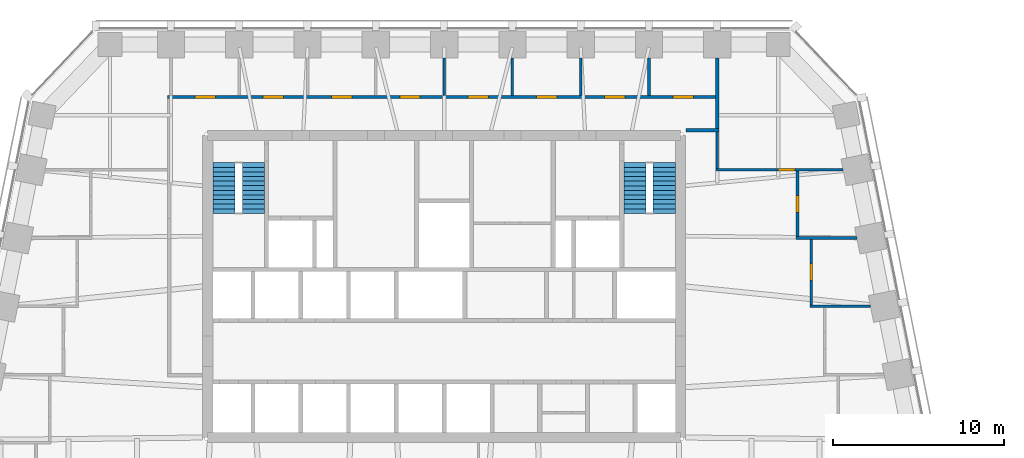
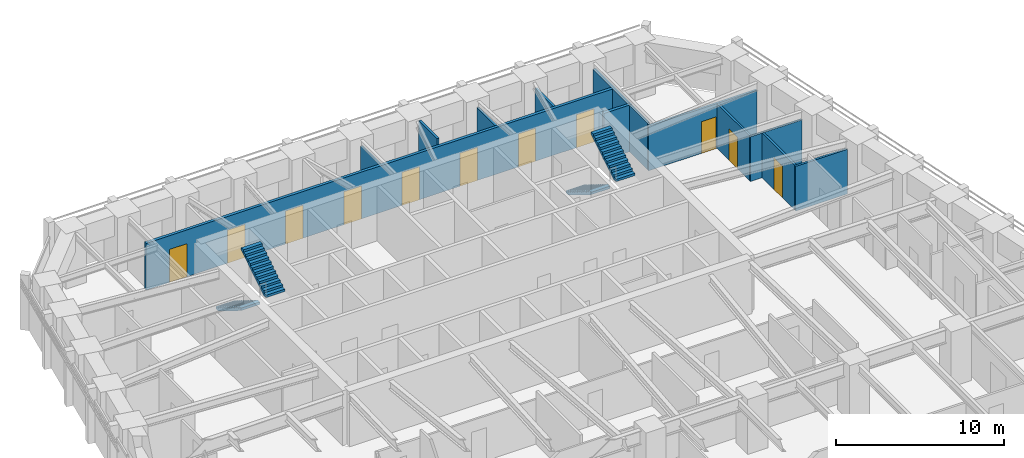
# One storey, part 9 of 11: 13 walls, 11 doors, 4 stair flights, 11 openings, 2 elements without a shape of their own.
"""IFC4 building model written with IfcOpenShell, lengths in metres."""

from ifc_helpers import new_model, si_unit, direction, frame, frame_2d, origin, place, context, subcontext, project, spatial, polyline, rectangle, outline, extrude, material, layer, layer_set, type_object, element, fill, aggregate, save


model = new_model("IFC4")

# Units and contexts
model_context = context("Model", 3, precision=1e-05, world=origin(), true_north=direction((0.0, 1.0)))
body_context = subcontext(model_context, "Body", "Model", "MODEL_VIEW")
ifc_project = project(units=[si_unit("LENGTHUNIT", "METRE"), si_unit("AREAUNIT", "SQUARE_METRE"), si_unit("VOLUMEUNIT", "CUBIC_METRE"), si_unit("PLANEANGLEUNIT", "RADIAN"), si_unit("MASSUNIT", "GRAM", prefix="KILO")], contexts=[model_context])

# Site, building, storey
site_placement = place(None, origin())
site = spatial("IfcSite", under=ifc_project, at=site_placement, CompositionType="ELEMENT")
building_placement = place(site_placement, origin())
building = spatial("IfcBuilding", under=site, at=building_placement, Name="Isbrekke Arena Tower", CompositionType="ELEMENT")
storey_placement = place(building_placement, frame((0.0, 0.0, 202.0)))
storey = spatial("IfcBuildingStorey", under=building, at=storey_placement, Name="L46", CompositionType="ELEMENT", Elevation=202.0)

# Walls
ifc_material_1 = material(Name="Gypsum board partition on steel studs", Category="steel")
ifc_layer_1 = layer(ifc_material_1, 0.14990234375)
ifc_layer_set_1 = layer_set([ifc_layer_1], Name="IW1 PARTITION 150")
wall_type_1 = type_object("IfcWallType", Name="IW1 PARTITION 150", PredefinedType="PARTITIONING", material=ifc_layer_set_1)
for number, where, z_axis, x_axis, name in (
    (1, (21.425048828125, 13.840087890625, 0.0), (0.0, 0.0, 1.0), (1.0, 0.0, 0.0), "IW1 partition 150 L46"),
    (2, (20.625, 17.840087890625, 0.0), (0.0, 0.0, 1.0), (1.0, 0.0, 0.0), "IW1 partition 150 L46"),
):
    element("IfcWall", number, at=place(storey_placement, frame(where, z_axis=z_axis, x_axis=x_axis)), inside=storey, type_object=wall_type_1, Name=name, PredefinedType="PARTITIONING", context=body_context, shape_type="SweptSolid", body=[
        extrude(rectangle(XDim=3.5498046875, YDim=0.14990234375, at=frame_2d((1.77490234375, 0.0))), origin(), (0.0, 0.0, 1.0), 3.25),
    ])

# Wall, opening, door
wall_1_placement = place(storey_placement, frame((15.925048828125, 21.840087890625, 0.0), z_axis=(0.0, 0.0, 1.0), x_axis=(1.0, 0.0, 0.0)))
wall_1 = element("IfcWall", 3, at=wall_1_placement, inside=storey, type_object=wall_type_1, Name="IW1 partition 150 L46", PredefinedType="PARTITIONING", context=body_context, shape_type="SweptSolid", body=[
    extrude(rectangle(XDim=7.44970703125, YDim=0.14990234375, at=frame_2d((3.724853515625, 0.0))), origin(), (0.0, 0.0, 1.0), 3.25),
])
opening_1_placement = place(wall_1_placement, frame((3.634033203125, 0.0, 0.0)))
opening_1 = element("IfcOpeningElement", 4, at=opening_1_placement, cuts=wall_1, Name="Opening D10", PredefinedType="OPENING", context=body_context, shape_type="SweptSolid", body=[
    extrude(rectangle(XDim=1.0, YDim=2.300048828125, at=frame_2d((0.5, 1.14990234375))), frame((0.0, 0.08984375, 0.0), z_axis=(0.0, -1.0, 0.0), x_axis=(1.0, 0.0, 0.0)), (0.0, 0.0, 1.0), 0.1796875),
])
ifc_material_2 = material(Name="Timber door", Category="wood")
door_type_1 = type_object("IfcDoorType", Name="D10 OFFICE DOOR 1000 x 2300", OperationType="SINGLE_SWING_LEFT", PredefinedType="DOOR", material=ifc_material_2)
door_1_placement = place(opening_1_placement, origin())
door_1 = element("IfcDoor", 5, at=door_1_placement, inside=storey, type_object=door_type_1, Name="D10 office door L46", OperationType="SINGLE_SWING_LEFT", OverallHeight=2.300048828125, OverallWidth=1.0, PredefinedType="DOOR", context=body_context, shape_type="SweptSolid", body=[
    extrude(rectangle(XDim=1.0, YDim=2.300048828125, at=frame_2d((0.5, 1.14990234375))), frame((0.0, 0.07470703125, 0.0), z_axis=(0.0, -1.0, 0.0), x_axis=(1.0, 0.0, 0.0)), (0.0, 0.0, 1.0), 0.1494140625),
])
fill(opening_1, door_1)

# Walls
wall_2_placement = place(storey_placement, frame((0.0, 26.199951171875, 0.0), z_axis=(0.0, 0.0, 1.0), x_axis=(0.0, 1.0, 0.0)))
element("IfcWall", 6, at=wall_2_placement, inside=storey, type_object=wall_type_1, Name="IW1 partition 150 L46", PredefinedType="PARTITIONING", context=body_context, shape_type="SweptSolid", body=[
    extrude(rectangle(XDim=2.175048828125, YDim=0.14990234375, at=frame_2d((1.08740234375, 0.0))), origin(), (0.0, 0.0, 1.0), 3.39990234375),
])
wall_3_placement = place(storey_placement, frame((4.0, 26.199951171875, 0.0), z_axis=(0.0, 0.0, 1.0), x_axis=(0.0, 1.0, 0.0)))
element("IfcWall", 7, at=wall_3_placement, inside=storey, type_object=wall_type_1, Name="IW1 partition 150 L46", PredefinedType="PARTITIONING", context=body_context, shape_type="SweptSolid", body=[
    extrude(rectangle(XDim=2.175048828125, YDim=0.14990234375, at=frame_2d((1.08740234375, 0.0))), origin(), (0.0, 0.0, 1.0), 3.85009765625),
])
for number, where, z_axis, x_axis, name in (
    (8, (8.0, 26.199951171875, 0.0), (0.0, 0.0, 1.0), (0.0, 1.0, 0.0), "IW1 partition 150 L46"),
    (9, (12.0, 26.199951171875, 0.0), (0.0, 0.0, 1.0), (0.0, 1.0, 0.0), "IW1 partition 150 L46"),
):
    element("IfcWall", number, at=place(storey_placement, frame(where, z_axis=z_axis, x_axis=x_axis)), inside=storey, type_object=wall_type_1, Name=name, PredefinedType="PARTITIONING", context=body_context, shape_type="SweptSolid", body=[
        extrude(rectangle(XDim=2.175048828125, YDim=0.14990234375, at=frame_2d((1.08740234375, 0.0))), origin(), (0.0, 0.0, 1.0), 3.39990234375),
    ])
wall_4_placement = place(storey_placement, frame((16.0, 21.9150390625, 0.0), z_axis=(0.0, 0.0, 1.0), x_axis=(0.0, 1.0, 0.0)))
element("IfcWall", 10, at=wall_4_placement, inside=storey, type_object=wall_type_1, Name="IW1 partition 150 L46", PredefinedType="PARTITIONING", context=body_context, shape_type="SweptSolid", body=[
    extrude(rectangle(XDim=2.135009765625, YDim=0.14990234375, at=frame_2d((1.0673828125, 0.0))), origin(), (0.0, 0.0, 1.0), 3.39990234375),
])

# Wall, opening, door
wall_5_placement = place(storey_placement, frame((20.699951171875, 17.9150390625, 0.0), z_axis=(0.0, 0.0, 1.0), x_axis=(0.0, 1.0, 0.0)))
wall_5 = element("IfcWall", 11, at=wall_5_placement, inside=storey, type_object=wall_type_1, Name="IW1 partition 150 L46", PredefinedType="PARTITIONING", context=body_context, shape_type="SweptSolid", body=[
    extrude(rectangle(XDim=3.849853515625, YDim=0.14990234375, at=frame_2d((1.9248046875, 0.0))), origin(), (0.0, 0.0, 1.0), 3.25),
])
opening_2_placement = place(wall_5_placement, frame((1.425048828125, 0.0, 0.0)))
opening_2 = element("IfcOpeningElement", 12, at=opening_2_placement, cuts=wall_5, Name="Opening D10", PredefinedType="OPENING", context=body_context, shape_type="SweptSolid", body=[
    extrude(rectangle(XDim=1.0, YDim=2.300048828125, at=frame_2d((0.5, 1.14990234375))), frame((0.0, 0.08984375, 0.0), z_axis=(0.0, -1.0, 0.0), x_axis=(1.0, 0.0, 0.0)), (0.0, 0.0, 1.0), 0.1796875),
])
door_2_placement = place(opening_2_placement, origin())
door_2 = element("IfcDoor", 13, at=door_2_placement, inside=storey, type_object=door_type_1, Name="D10 office door L46", OperationType="SINGLE_SWING_LEFT", OverallHeight=2.300048828125, OverallWidth=1.0, PredefinedType="DOOR", context=body_context, shape_type="SweptSolid", body=[
    extrude(rectangle(XDim=1.0, YDim=2.300048828125, at=frame_2d((0.5, 1.14990234375))), frame((0.0, 0.07470703125, 0.0), z_axis=(0.0, -1.0, 0.0), x_axis=(1.0, 0.0, 0.0)), (0.0, 0.0, 1.0), 0.1494140625),
])
fill(opening_2, door_2)

wall_6_placement = place(storey_placement, frame((21.5, 13.9150390625, 0.0), z_axis=(0.0, 0.0, 1.0), x_axis=(0.0, 1.0, 0.0)))
wall_6 = element("IfcWall", 14, at=wall_6_placement, inside=storey, type_object=wall_type_1, Name="IW1 partition 150 L46", PredefinedType="PARTITIONING", context=body_context, shape_type="SweptSolid", body=[
    extrude(rectangle(XDim=3.849853515625, YDim=0.14990234375, at=frame_2d((1.9248046875, 0.0))), origin(), (0.0, 0.0, 1.0), 3.25),
])
opening_3_placement = place(wall_6_placement, frame((1.425048828125, 0.0, 0.0)))
opening_3 = element("IfcOpeningElement", 15, at=opening_3_placement, cuts=wall_6, Name="Opening D10", PredefinedType="OPENING", context=body_context, shape_type="SweptSolid", body=[
    extrude(rectangle(XDim=1.0, YDim=2.300048828125, at=frame_2d((0.5, 1.14990234375))), frame((0.0, 0.08984375, 0.0), z_axis=(0.0, -1.0, 0.0), x_axis=(1.0, 0.0, 0.0)), (0.0, 0.0, 1.0), 0.1796875),
])
door_3_placement = place(opening_3_placement, origin())
door_3 = element("IfcDoor", 16, at=door_3_placement, inside=storey, type_object=door_type_1, Name="D10 office door L46", OperationType="SINGLE_SWING_LEFT", OverallHeight=2.300048828125, OverallWidth=1.0, PredefinedType="DOOR", context=body_context, shape_type="SweptSolid", body=[
    extrude(rectangle(XDim=1.0, YDim=2.300048828125, at=frame_2d((0.5, 1.14990234375))), frame((0.0, 0.07470703125, 0.0), z_axis=(0.0, -1.0, 0.0), x_axis=(1.0, 0.0, 0.0)), (0.0, 0.0, 1.0), 0.1494140625),
])
fill(opening_3, door_3)

# Wall
ifc_material_3 = material(Name="Gypsum board fire-cell wall on steel studs, two layers each side", Category="steel")
ifc_layer_2 = layer(ifc_material_3, 0.199951171875)
ifc_layer_set_2 = layer_set([ifc_layer_2], Name="IW3 FIRE-CELL WALL 200")
wall_type_2 = type_object("IfcWallType", Name="IW3 FIRE-CELL WALL 200", PredefinedType="PARTITIONING", material=ifc_layer_set_2)
wall_7_placement = place(storey_placement, frame((14.179931640625, 24.14990234375, 0.0), z_axis=(0.0, 0.0, 1.0), x_axis=(1.0, 0.0, 0.0)))
element("IfcWall", 17, at=wall_7_placement, inside=storey, type_object=wall_type_2, Name="IW3 fire-cell wall 200 L46", PredefinedType="PARTITIONING", context=body_context, shape_type="SweptSolid", body=[
    extrude(rectangle(XDim=1.920166015625, YDim=0.199951171875, at=frame_2d((0.9599609375, 0.0))), origin(), (0.0, 0.0, 1.0), 3.39990234375),
])

# Wall, openings, doors
wall_8_placement = place(storey_placement, frame((-16.199951171875, 26.10009765625, 0.0), z_axis=(0.0, 0.0, 1.0), x_axis=(1.0, 0.0, 0.0)))
wall_8 = element("IfcWall", 18, at=wall_8_placement, inside=storey, type_object=wall_type_2, Name="IW3 fire-cell wall 200 L46", PredefinedType="PARTITIONING", context=body_context, shape_type="SweptSolid", body=[
    extrude(rectangle(XDim=32.099853515625, YDim=0.199951171875, at=frame_2d((16.0498046875, 0.0))), origin(), (0.0, 0.0, 1.0), 3.39990234375),
])
opening_4_placement = place(wall_8_placement, frame((1.60009765625, 0.0, 0.0)))
opening_4 = element("IfcOpeningElement", 19, at=opening_4_placement, cuts=wall_8, Name="Opening D12", PredefinedType="OPENING", context=body_context, shape_type="SweptSolid", body=[
    extrude(rectangle(XDim=1.199951171875, YDim=2.39990234375, at=frame_2d((0.60009765625, 1.199951171875))), frame((0.0, 0.11474609375, 0.0), z_axis=(0.0, -1.0, 0.0), x_axis=(1.0, 0.0, 0.0)), (0.0, 0.0, 1.0), 0.229736328125),
])
opening_5_placement = place(wall_8_placement, frame((5.60009765625, 0.0, 0.0)))
opening_5 = element("IfcOpeningElement", 20, at=opening_5_placement, cuts=wall_8, Name="Opening D12", PredefinedType="OPENING", context=body_context, shape_type="SweptSolid", body=[
    extrude(rectangle(XDim=1.199951171875, YDim=2.39990234375, at=frame_2d((0.60009765625, 1.199951171875))), frame((0.0, 0.11474609375, 0.0), z_axis=(0.0, -1.0, 0.0), x_axis=(1.0, 0.0, 0.0)), (0.0, 0.0, 1.0), 0.229736328125),
])
opening_6_placement = place(wall_8_placement, frame((9.60009765625, 0.0, 0.0)))
opening_6 = element("IfcOpeningElement", 21, at=opening_6_placement, cuts=wall_8, Name="Opening D12", PredefinedType="OPENING", context=body_context, shape_type="SweptSolid", body=[
    extrude(rectangle(XDim=1.199951171875, YDim=2.39990234375, at=frame_2d((0.60009765625, 1.199951171875))), frame((0.0, 0.11474609375, 0.0), z_axis=(0.0, -1.0, 0.0), x_axis=(1.0, 0.0, 0.0)), (0.0, 0.0, 1.0), 0.229736328125),
])
opening_7_placement = place(wall_8_placement, frame((13.60009765625, 0.0, 0.0)))
opening_7 = element("IfcOpeningElement", 22, at=opening_7_placement, cuts=wall_8, Name="Opening D12", PredefinedType="OPENING", context=body_context, shape_type="SweptSolid", body=[
    extrude(rectangle(XDim=1.199951171875, YDim=2.39990234375, at=frame_2d((0.60009765625, 1.199951171875))), frame((0.0, 0.11474609375, 0.0), z_axis=(0.0, -1.0, 0.0), x_axis=(1.0, 0.0, 0.0)), (0.0, 0.0, 1.0), 0.229736328125),
])
opening_8_placement = place(wall_8_placement, frame((17.60009765625, 0.0, 0.0)))
opening_8 = element("IfcOpeningElement", 23, at=opening_8_placement, cuts=wall_8, Name="Opening D12", PredefinedType="OPENING", context=body_context, shape_type="SweptSolid", body=[
    extrude(rectangle(XDim=1.199951171875, YDim=2.39990234375, at=frame_2d((0.60009765625, 1.199951171875))), frame((0.0, 0.11474609375, 0.0), z_axis=(0.0, -1.0, 0.0), x_axis=(1.0, 0.0, 0.0)), (0.0, 0.0, 1.0), 0.229736328125),
])
opening_9_placement = place(wall_8_placement, frame((21.60009765625, 0.0, 0.0)))
opening_9 = element("IfcOpeningElement", 24, at=opening_9_placement, cuts=wall_8, Name="Opening D12", PredefinedType="OPENING", context=body_context, shape_type="SweptSolid", body=[
    extrude(rectangle(XDim=1.199951171875, YDim=2.39990234375, at=frame_2d((0.60009765625, 1.199951171875))), frame((0.0, 0.11474609375, 0.0), z_axis=(0.0, -1.0, 0.0), x_axis=(1.0, 0.0, 0.0)), (0.0, 0.0, 1.0), 0.229736328125),
])
opening_10_placement = place(wall_8_placement, frame((25.60009765625, 0.0, 0.0)))
opening_10 = element("IfcOpeningElement", 25, at=opening_10_placement, cuts=wall_8, Name="Opening D12", PredefinedType="OPENING", context=body_context, shape_type="SweptSolid", body=[
    extrude(rectangle(XDim=1.199951171875, YDim=2.39990234375, at=frame_2d((0.60009765625, 1.199951171875))), frame((0.0, 0.11474609375, 0.0), z_axis=(0.0, -1.0, 0.0), x_axis=(1.0, 0.0, 0.0)), (0.0, 0.0, 1.0), 0.229736328125),
])
opening_11_placement = place(wall_8_placement, frame((29.60009765625, 0.0, 0.0)))
opening_11 = element("IfcOpeningElement", 26, at=opening_11_placement, cuts=wall_8, Name="Opening D12", PredefinedType="OPENING", context=body_context, shape_type="SweptSolid", body=[
    extrude(rectangle(XDim=1.199951171875, YDim=2.39990234375, at=frame_2d((0.60009765625, 1.199951171875))), frame((0.0, 0.11474609375, 0.0), z_axis=(0.0, -1.0, 0.0), x_axis=(1.0, 0.0, 0.0)), (0.0, 0.0, 1.0), 0.229736328125),
])
ifc_material_4 = material(Name="Timber fire door with vision panel", Category="wood")
door_type_2 = type_object("IfcDoorType", Name="D12 SUITE ENTRANCE DOOR 1200 x 2400", OperationType="SINGLE_SWING_LEFT", PredefinedType="DOOR", material=ifc_material_4)
door_4_placement = place(opening_4_placement, origin())
door_4 = element("IfcDoor", 27, at=door_4_placement, inside=storey, type_object=door_type_2, Name="D12 office door L46", OperationType="SINGLE_SWING_LEFT", OverallHeight=2.39990234375, OverallWidth=1.199951171875, PredefinedType="DOOR", context=body_context, shape_type="SweptSolid", body=[
    extrude(rectangle(XDim=1.199951171875, YDim=2.39990234375, at=frame_2d((0.60009765625, 1.199951171875))), frame((0.0, 0.099609375, 0.0), z_axis=(0.0, -1.0, 0.0), x_axis=(1.0, 0.0, 0.0)), (0.0, 0.0, 1.0), 0.199462890625),
])
fill(opening_4, door_4)
door_5_placement = place(opening_5_placement, origin())
door_5 = element("IfcDoor", 28, at=door_5_placement, inside=storey, type_object=door_type_2, Name="D12 office door L46", OperationType="SINGLE_SWING_LEFT", OverallHeight=2.39990234375, OverallWidth=1.199951171875, PredefinedType="DOOR", context=body_context, shape_type="SweptSolid", body=[
    extrude(rectangle(XDim=1.199951171875, YDim=2.39990234375, at=frame_2d((0.60009765625, 1.199951171875))), frame((0.0, 0.099609375, 0.0), z_axis=(0.0, -1.0, 0.0), x_axis=(1.0, 0.0, 0.0)), (0.0, 0.0, 1.0), 0.199462890625),
])
fill(opening_5, door_5)
door_6_placement = place(opening_6_placement, origin())
door_6 = element("IfcDoor", 29, at=door_6_placement, inside=storey, type_object=door_type_2, Name="D12 office door L46", OperationType="SINGLE_SWING_LEFT", OverallHeight=2.39990234375, OverallWidth=1.199951171875, PredefinedType="DOOR", context=body_context, shape_type="SweptSolid", body=[
    extrude(rectangle(XDim=1.199951171875, YDim=2.39990234375, at=frame_2d((0.60009765625, 1.199951171875))), frame((0.0, 0.099609375, 0.0), z_axis=(0.0, -1.0, 0.0), x_axis=(1.0, 0.0, 0.0)), (0.0, 0.0, 1.0), 0.199462890625),
])
fill(opening_6, door_6)
door_7_placement = place(opening_7_placement, origin())
door_7 = element("IfcDoor", 30, at=door_7_placement, inside=storey, type_object=door_type_2, Name="D12 office door L46", OperationType="SINGLE_SWING_LEFT", OverallHeight=2.39990234375, OverallWidth=1.199951171875, PredefinedType="DOOR", context=body_context, shape_type="SweptSolid", body=[
    extrude(rectangle(XDim=1.199951171875, YDim=2.39990234375, at=frame_2d((0.60009765625, 1.199951171875))), frame((0.0, 0.099609375, 0.0), z_axis=(0.0, -1.0, 0.0), x_axis=(1.0, 0.0, 0.0)), (0.0, 0.0, 1.0), 0.199462890625),
])
fill(opening_7, door_7)
door_8_placement = place(opening_8_placement, origin())
door_8 = element("IfcDoor", 31, at=door_8_placement, inside=storey, type_object=door_type_2, Name="D12 office door L46", OperationType="SINGLE_SWING_LEFT", OverallHeight=2.39990234375, OverallWidth=1.199951171875, PredefinedType="DOOR", context=body_context, shape_type="SweptSolid", body=[
    extrude(rectangle(XDim=1.199951171875, YDim=2.39990234375, at=frame_2d((0.60009765625, 1.199951171875))), frame((0.0, 0.099609375, 0.0), z_axis=(0.0, -1.0, 0.0), x_axis=(1.0, 0.0, 0.0)), (0.0, 0.0, 1.0), 0.199462890625),
])
fill(opening_8, door_8)
door_9_placement = place(opening_9_placement, origin())
door_9 = element("IfcDoor", 32, at=door_9_placement, inside=storey, type_object=door_type_2, Name="D12 office door L46", OperationType="SINGLE_SWING_LEFT", OverallHeight=2.39990234375, OverallWidth=1.199951171875, PredefinedType="DOOR", context=body_context, shape_type="SweptSolid", body=[
    extrude(rectangle(XDim=1.199951171875, YDim=2.39990234375, at=frame_2d((0.60009765625, 1.199951171875))), frame((0.0, 0.099609375, 0.0), z_axis=(0.0, -1.0, 0.0), x_axis=(1.0, 0.0, 0.0)), (0.0, 0.0, 1.0), 0.199462890625),
])
fill(opening_9, door_9)
door_10_placement = place(opening_10_placement, origin())
door_10 = element("IfcDoor", 33, at=door_10_placement, inside=storey, type_object=door_type_2, Name="D12 office door L46", OperationType="SINGLE_SWING_LEFT", OverallHeight=2.39990234375, OverallWidth=1.199951171875, PredefinedType="DOOR", context=body_context, shape_type="SweptSolid", body=[
    extrude(rectangle(XDim=1.199951171875, YDim=2.39990234375, at=frame_2d((0.60009765625, 1.199951171875))), frame((0.0, 0.099609375, 0.0), z_axis=(0.0, -1.0, 0.0), x_axis=(1.0, 0.0, 0.0)), (0.0, 0.0, 1.0), 0.199462890625),
])
fill(opening_10, door_10)
door_11_placement = place(opening_11_placement, origin())
door_11 = element("IfcDoor", 34, at=door_11_placement, inside=storey, type_object=door_type_2, Name="D12 office door L46", OperationType="SINGLE_SWING_LEFT", OverallHeight=2.39990234375, OverallWidth=1.199951171875, PredefinedType="DOOR", context=body_context, shape_type="SweptSolid", body=[
    extrude(rectangle(XDim=1.199951171875, YDim=2.39990234375, at=frame_2d((0.60009765625, 1.199951171875))), frame((0.0, 0.099609375, 0.0), z_axis=(0.0, -1.0, 0.0), x_axis=(1.0, 0.0, 0.0)), (0.0, 0.0, 1.0), 0.199462890625),
])
fill(opening_11, door_11)

# Wall
wall_9_placement = place(storey_placement, frame((16.0, 24.25, 0.0), z_axis=(0.0, 0.0, 1.0), x_axis=(0.0, 1.0, 0.0)))
element("IfcWall", 35, at=wall_9_placement, inside=storey, type_object=wall_type_2, Name="IW3 fire-cell wall 200 L46", PredefinedType="PARTITIONING", context=body_context, shape_type="SweptSolid", body=[
    extrude(rectangle(XDim=4.125, YDim=0.199951171875, at=frame_2d((2.0625, 0.0))), origin(), (0.0, 0.0, 1.0), 3.39990234375),
])

# Stair, stair flights
ifc_material_5 = material(Name="Concrete B45 (C45/55) precast", Category="concrete")
stair_type = type_object("IfcStairType", Name="ST40 STAIR 1300 WIDE, 24 RISERS 167", PredefinedType="HALF_TURN_STAIR", material=ifc_material_5)
stair_1_placement = place(storey_placement, origin())
stair_1 = element("IfcStair", 36, at=stair_1_placement, inside=storey, type_object=stair_type, Name="ST1 stair L46", PredefinedType="HALF_TURN_STAIR")
ifc_material_6 = material(Name="Concrete B45 (C45/55) precast", Category="concrete")
stair_flight_type = type_object("IfcStairFlightType", Name="SF 1300 FLIGHT", PredefinedType="STRAIGHT", material=ifc_material_6)
stair_flight_1_placement = place(storey_placement, frame((-12.89990234375, 22.25, 0.0), z_axis=(0.0, 0.0, 1.0), x_axis=(0.0, -1.0, 0.0)))
stair_flight_1 = element("IfcStairFlight", 37, at=stair_flight_1_placement, type_object=stair_flight_type, Name="ST1 flight 1", NumberOfRisers=12, NumberOfTreads=11, PredefinedType="STRAIGHT", RiserHeight=0.166666667, TreadLength=0.27, context=body_context, shape_type="SweptSolid", body=[
    extrude(outline(polyline([(0.0, 0.0), (0.0, 0.166748046875), (0.27001953125, 0.166748046875), (0.27001953125, 0.333251953125), (0.5400390625, 0.333251953125), (0.5400390625, 0.5), (0.81005859375, 0.5), (0.81005859375, 0.666748046875), (1.080078125, 0.666748046875), (1.080078125, 0.833251953125), (1.35009765625, 0.833251953125), (1.35009765625, 1.0), (1.6201171875, 1.0), (1.6201171875, 1.166748046875), (1.889892578125, 1.166748046875), (1.889892578125, 1.333251953125), (2.159912109375, 1.333251953125), (2.159912109375, 1.5), (2.429931640625, 1.5), (2.429931640625, 1.666748046875), (2.699951171875, 1.666748046875), (2.699951171875, 1.833251953125), (2.969970703125, 1.833251953125), (2.969970703125, 2.0), (2.969970703125, 1.6572265625), (0.285400390625, 0.0), (0.0, 0.0)])), frame((0.0, 0.64990234375, 0.0), z_axis=(0.0, -1.0, 0.0), x_axis=(1.0, 0.0, 0.0)), (0.0, 0.0, 1.0), 1.300048828125),
])
stair_flight_2_placement = place(storey_placement, frame((-11.175048828125, 19.280029296875, 2.0), z_axis=(0.0, 0.0, 1.0), x_axis=(0.0, 1.0, 0.0)))
stair_flight_2 = element("IfcStairFlight", 38, at=stair_flight_2_placement, type_object=stair_flight_type, Name="ST1 flight 2", NumberOfRisers=12, NumberOfTreads=11, PredefinedType="STRAIGHT", RiserHeight=0.166666667, TreadLength=0.27, context=body_context, shape_type="SweptSolid", body=[
    extrude(outline(polyline([(0.0, 0.0), (0.0, 0.166748046875), (0.27001953125, 0.166748046875), (0.27001953125, 0.333251953125), (0.5400390625, 0.333251953125), (0.5400390625, 0.5), (0.81005859375, 0.5), (0.81005859375, 0.666748046875), (1.080078125, 0.666748046875), (1.080078125, 0.833251953125), (1.35009765625, 0.833251953125), (1.35009765625, 1.0), (1.6201171875, 1.0), (1.6201171875, 1.166748046875), (1.889892578125, 1.166748046875), (1.889892578125, 1.333251953125), (2.159912109375, 1.333251953125), (2.159912109375, 1.5), (2.429931640625, 1.5), (2.429931640625, 1.666748046875), (2.699951171875, 1.666748046875), (2.699951171875, 1.833251953125), (2.969970703125, 1.833251953125), (2.969970703125, 2.0), (2.969970703125, 1.6572265625), (0.285400390625, 0.0), (0.0, 0.0)])), frame((0.0, 0.64990234375, 0.0), z_axis=(0.0, -1.0, 0.0), x_axis=(1.0, 0.0, 0.0)), (0.0, 0.0, 1.0), 1.300048828125),
])
aggregate(stair_1, [stair_flight_1, stair_flight_2])

stair_2_placement = place(storey_placement, origin())
stair_2 = element("IfcStair", 39, at=stair_2_placement, inside=storey, type_object=stair_type, Name="ST2 stair L46", PredefinedType="HALF_TURN_STAIR")
stair_flight_3_placement = place(storey_placement, frame((11.175048828125, 22.25, 0.0), z_axis=(0.0, 0.0, 1.0), x_axis=(0.0, -1.0, 0.0)))
stair_flight_3 = element("IfcStairFlight", 40, at=stair_flight_3_placement, type_object=stair_flight_type, Name="ST2 flight 1", NumberOfRisers=12, NumberOfTreads=11, PredefinedType="STRAIGHT", RiserHeight=0.166666667, TreadLength=0.27, context=body_context, shape_type="SweptSolid", body=[
    extrude(outline(polyline([(0.0, 0.0), (0.0, 0.166748046875), (0.27001953125, 0.166748046875), (0.27001953125, 0.333251953125), (0.5400390625, 0.333251953125), (0.5400390625, 0.5), (0.81005859375, 0.5), (0.81005859375, 0.666748046875), (1.080078125, 0.666748046875), (1.080078125, 0.833251953125), (1.35009765625, 0.833251953125), (1.35009765625, 1.0), (1.6201171875, 1.0), (1.6201171875, 1.166748046875), (1.889892578125, 1.166748046875), (1.889892578125, 1.333251953125), (2.159912109375, 1.333251953125), (2.159912109375, 1.5), (2.429931640625, 1.5), (2.429931640625, 1.666748046875), (2.699951171875, 1.666748046875), (2.699951171875, 1.833251953125), (2.969970703125, 1.833251953125), (2.969970703125, 2.0), (2.969970703125, 1.6572265625), (0.285400390625, 0.0), (0.0, 0.0)])), frame((0.0, 0.64990234375, 0.0), z_axis=(0.0, -1.0, 0.0), x_axis=(1.0, 0.0, 0.0)), (0.0, 0.0, 1.0), 1.300048828125),
])
stair_flight_4_placement = place(storey_placement, frame((12.89990234375, 19.280029296875, 2.0), z_axis=(0.0, 0.0, 1.0), x_axis=(0.0, 1.0, 0.0)))
stair_flight_4 = element("IfcStairFlight", 41, at=stair_flight_4_placement, type_object=stair_flight_type, Name="ST2 flight 2", NumberOfRisers=12, NumberOfTreads=11, PredefinedType="STRAIGHT", RiserHeight=0.166666667, TreadLength=0.27, context=body_context, shape_type="SweptSolid", body=[
    extrude(outline(polyline([(0.0, 0.0), (0.0, 0.166748046875), (0.27001953125, 0.166748046875), (0.27001953125, 0.333251953125), (0.5400390625, 0.333251953125), (0.5400390625, 0.5), (0.81005859375, 0.5), (0.81005859375, 0.666748046875), (1.080078125, 0.666748046875), (1.080078125, 0.833251953125), (1.35009765625, 0.833251953125), (1.35009765625, 1.0), (1.6201171875, 1.0), (1.6201171875, 1.166748046875), (1.889892578125, 1.166748046875), (1.889892578125, 1.333251953125), (2.159912109375, 1.333251953125), (2.159912109375, 1.5), (2.429931640625, 1.5), (2.429931640625, 1.666748046875), (2.699951171875, 1.666748046875), (2.699951171875, 1.833251953125), (2.969970703125, 1.833251953125), (2.969970703125, 2.0), (2.969970703125, 1.6572265625), (0.285400390625, 0.0), (0.0, 0.0)])), frame((0.0, 0.64990234375, 0.0), z_axis=(0.0, -1.0, 0.0), x_axis=(1.0, 0.0, 0.0)), (0.0, 0.0, 1.0), 1.300048828125),
])
aggregate(stair_2, [stair_flight_3, stair_flight_4])

save(model, "model.ifc")
